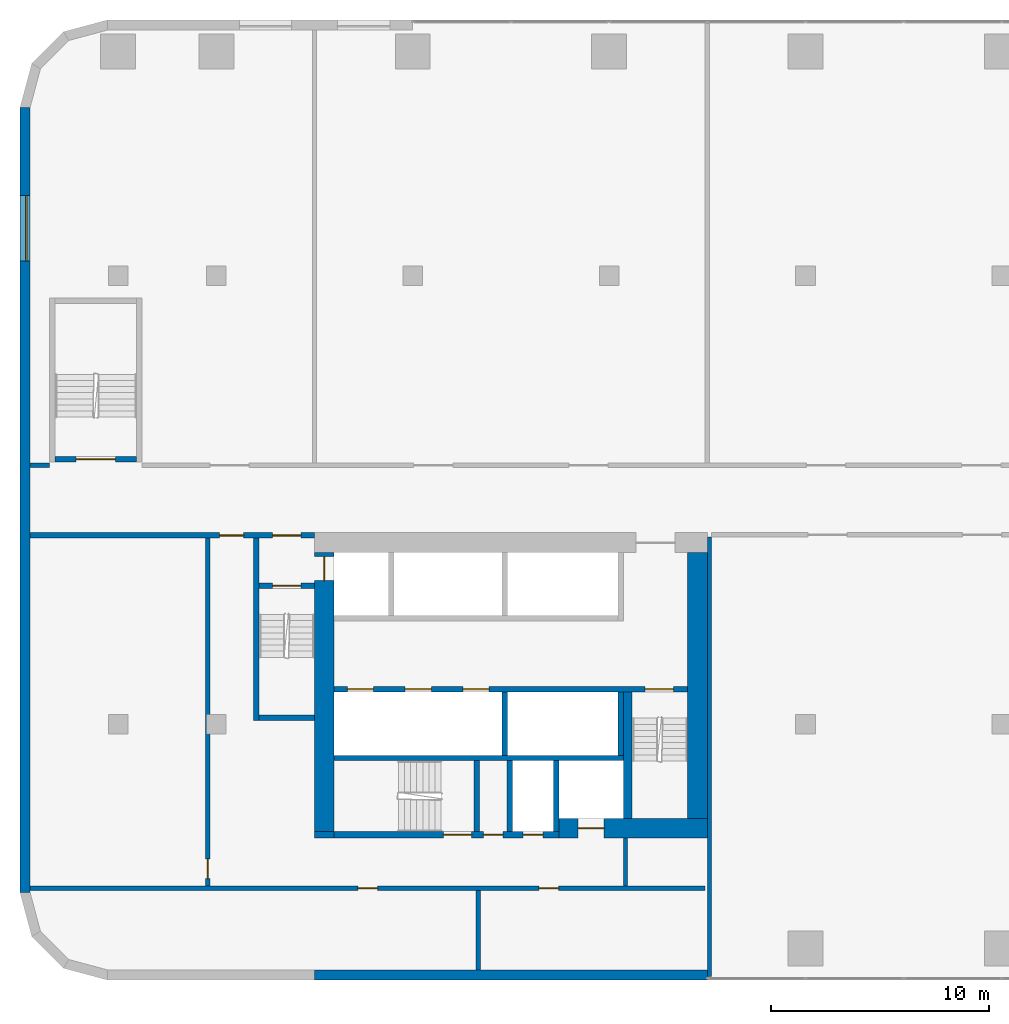
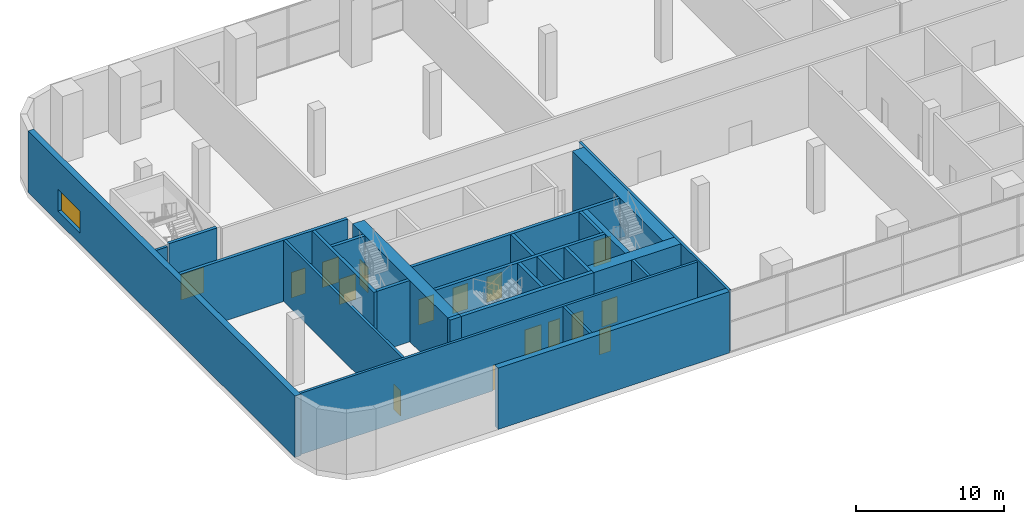
# One storey, part 9 of 21: 26 walls, 16 doors, 1 window, 17 openings.
"""IFC4 building model written with IfcOpenShell, lengths in metres."""

from ifc_helpers import new_model, si_unit, direction, frame, frame_2d, origin, place, context, subcontext, project, spatial, rectangle, extrude, material, layer, layer_set, type_object, element, fill, save


model = new_model("IFC4")

# Units and contexts
model_context = context("Model", 3, precision=1e-05, world=origin(), true_north=direction((0.0, 1.0)))
body_context = subcontext(model_context, "Body", "Model", "MODEL_VIEW")
ifc_project = project(units=[si_unit("LENGTHUNIT", "METRE"), si_unit("AREAUNIT", "SQUARE_METRE"), si_unit("VOLUMEUNIT", "CUBIC_METRE"), si_unit("PLANEANGLEUNIT", "RADIAN"), si_unit("MASSUNIT", "GRAM", prefix="KILO")], contexts=[model_context])

# Site, building, storey
site_placement = place(None, origin())
site = spatial("IfcSite", under=ifc_project, at=site_placement, CompositionType="ELEMENT")
building_placement = place(site_placement, origin())
building = spatial("IfcBuilding", under=site, at=building_placement, Name="Kajstack Hotel Tower", CompositionType="ELEMENT")
storey_placement = place(building_placement, frame((0.0, 0.0, 23.5)))
storey = spatial("IfcBuildingStorey", under=building, at=storey_placement, Name="L03", CompositionType="ELEMENT", Elevation=23.5)

# Wall, opening, door
ifc_material_1 = material(Name="Concrete C60/75", Category="concrete")
ifc_layer_1 = layer(ifc_material_1, 0.89990234375)
ifc_layer_set_1 = layer_set([ifc_layer_1], Name="Core wall 900")
wall_type_1 = type_object("IfcWallType", Name="Core wall 900", PredefinedType="SHEAR", material=ifc_layer_set_1)
wall_1_placement = place(storey_placement, frame((-20.300048828125, -15.050048828125, 0.0), z_axis=(0.0, 0.0, 1.0), x_axis=(1.0, 0.0, 0.0)))
wall_1 = element("IfcWall", 1, at=wall_1_placement, inside=storey, type_object=wall_type_1, Name="Core wall W RS", PredefinedType="SHEAR", context=body_context, shape_type="SweptSolid", body=[
    extrude(rectangle(XDim=6.800048828125, YDim=0.89990234375, at=frame_2d((3.39990234375, 0.0))), origin(), (0.0, 0.0, 1.0), 5.050048828125),
])
opening_1_placement = place(wall_1_placement, frame((0.875, 0.0, 0.0)))
opening_1 = element("IfcOpeningElement", 2, at=opening_1_placement, cuts=wall_1, Name="Opening LD-SV1", PredefinedType="OPENING", context=body_context, shape_type="SweptSolid", body=[
    extrude(rectangle(XDim=1.199951171875, YDim=2.10009765625, at=frame_2d((0.60009765625, 1.050048828125))), frame((0.0, 0.4599609375, 0.0), z_axis=(0.0, -1.0, 0.0), x_axis=(1.0, 0.0, 0.0)), (0.0, 0.0, 1.0), 0.919921875),
])
ifc_material_2 = material(Name="Stainless steel", Category="steel")
door_type_1 = type_object("IfcDoorType", Name="Lift landing door 1200", OperationType="SLIDING_TO_LEFT", PredefinedType="DOOR", material=ifc_material_2)
door_1_placement = place(opening_1_placement, origin())
door_1 = element("IfcDoor", 3, at=door_1_placement, inside=storey, type_object=door_type_1, Name="Landing door SV1", OperationType="SLIDING_TO_LEFT", OverallHeight=2.10009765625, OverallWidth=1.199951171875, PredefinedType="DOOR", context=body_context, shape_type="SweptSolid", body=[
    extrude(rectangle(XDim=1.199951171875, YDim=2.10009765625, at=frame_2d((0.60009765625, 1.050048828125))), frame((0.0, 0.02490234375, 0.0), z_axis=(0.0, -1.0, 0.0), x_axis=(1.0, 0.0, 0.0)), (0.0, 0.0, 1.0), 0.050048828125),
])
fill(opening_1, door_1)

# Wall
wall_2_placement = place(storey_placement, frame((-31.5, -15.35009765625, 0.0), z_axis=(0.0, 0.0, 1.0), x_axis=(1.0, 0.0, 0.0)))
element("IfcWall", 4, at=wall_2_placement, inside=storey, type_object=wall_type_1, Name="Core wall W RSW", PredefinedType="SHEAR", context=body_context, shape_type="SweptSolid", body=[
    extrude(rectangle(XDim=0.89990234375, YDim=0.300048828125, at=frame_2d((0.449951171875, 0.0))), origin(), (0.0, 0.0, 1.0), 5.050048828125),
])

# Wall, opening, door
wall_3_placement = place(storey_placement, frame((-31.050048828125, -15.199951171875, 0.0), z_axis=(0.0, 0.0, 1.0), x_axis=(0.0, 1.0, 0.0)))
wall_3 = element("IfcWall", 5, at=wall_3_placement, inside=storey, type_object=wall_type_1, Name="Core wall W RW", PredefinedType="SHEAR", context=body_context, shape_type="SweptSolid", body=[
    extrude(rectangle(XDim=12.800048828125, YDim=0.89990234375, at=frame_2d((6.39990234375, 0.0))), origin(), (0.0, 0.0, 1.0), 5.050048828125),
])
opening_2_placement = place(wall_3_placement, frame((11.5, 0.0, 0.0)))
opening_2 = element("IfcOpeningElement", 6, at=opening_2_placement, cuts=wall_3, Name="Opening LD-FF1", PredefinedType="OPENING", context=body_context, shape_type="SweptSolid", body=[
    extrude(rectangle(XDim=1.10009765625, YDim=2.10009765625, at=frame_2d((0.550048828125, 1.050048828125))), frame((0.0, 0.4599609375, 0.0), z_axis=(0.0, -1.0, 0.0), x_axis=(1.0, 0.0, 0.0)), (0.0, 0.0, 1.0), 0.919921875),
])
door_type_2 = type_object("IfcDoorType", Name="Fire-fighting lift landing door 1100", OperationType="SLIDING_TO_LEFT", PredefinedType="DOOR", material=ifc_material_2)
door_2_placement = place(opening_2_placement, origin())
door_2 = element("IfcDoor", 7, at=door_2_placement, inside=storey, type_object=door_type_2, Name="Landing door FF1", OperationType="SLIDING_TO_RIGHT", OverallHeight=2.10009765625, OverallWidth=1.10009765625, PredefinedType="DOOR", context=body_context, shape_type="SweptSolid", body=[
    extrude(rectangle(XDim=1.10009765625, YDim=2.10009765625, at=frame_2d((0.550048828125, 1.050048828125))), frame((0.0, 0.02490234375, 0.0), z_axis=(0.0, -1.0, 0.0), x_axis=(1.0, 0.0, 0.0)), (0.0, 0.0, 1.0), 0.050048828125),
])
fill(opening_2, door_2)

# Walls
wall_4_placement = place(storey_placement, frame((-13.949951171875, -14.60009765625, 0.0), z_axis=(0.0, 0.0, 1.0), x_axis=(0.0, 1.0, 0.0)))
element("IfcWall", 8, at=wall_4_placement, inside=storey, type_object=wall_type_1, Name="Core wall W RE", PredefinedType="SHEAR", context=body_context, shape_type="SweptSolid", body=[
    extrude(rectangle(XDim=12.2001953125, YDim=0.89990234375, at=frame_2d((6.10009765625, 0.0))), origin(), (0.0, 0.0, 1.0), 5.050048828125),
])
ifc_material_3 = material(Name="Concrete C40/50", Category="concrete")
ifc_layer_2 = layer(ifc_material_3, 0.449951171875)
ifc_layer_set_2 = layer_set([ifc_layer_2], Name="EW-CORE")
wall_type_2 = type_object("IfcWallType", Name="EW-CORE", PredefinedType="SOLIDWALL", material=ifc_layer_set_2)
wall_5_placement = place(storey_placement, frame((-31.5, -21.77490234375, 0.0), z_axis=(0.0, 0.0, 1.0), x_axis=(1.0, 0.0, 0.0)))
element("IfcWall", 9, at=wall_5_placement, inside=storey, type_object=wall_type_2, Name="E-wall-L03-03-01", PredefinedType="SOLIDWALL", context=body_context, shape_type="SweptSolid", body=[
    extrude(rectangle(XDim=18.0, YDim=0.449951171875, at=frame_2d((9.0, 0.0))), origin(), (0.0, 0.0, 1.0), 5.050048828125),
])

# Wall, opening, window
ifc_material_4 = material(Name="Terracotta-faced brick masonry", Category="masonry")
ifc_layer_3 = layer(ifc_material_4, 0.449951171875)
ifc_layer_set_3 = layer_set([ifc_layer_3], Name="EW-TERRA")
wall_type_3 = type_object("IfcWallType", Name="EW-TERRA", PredefinedType="SOLIDWALL", material=ifc_layer_set_3)
wall_6_placement = place(storey_placement, frame((-44.77490234375, 18.0, 0.0), z_axis=(0.0, 0.0, 1.0), x_axis=(0.0, -1.0, 0.0)))
wall_6 = element("IfcWall", 10, at=wall_6_placement, inside=storey, type_object=wall_type_3, Name="E-wall-L03-15-00", PredefinedType="SOLIDWALL", context=body_context, shape_type="SweptSolid", body=[
    extrude(rectangle(XDim=36.0, YDim=0.449951171875, at=frame_2d((18.0, 0.0))), origin(), (0.0, 0.0, 1.0), 5.050048828125),
])
opening_3_placement = place(wall_6_placement, frame((4.050048828125, 0.0, 0.89990234375)))
opening_3 = element("IfcOpeningElement", 11, at=opening_3_placement, cuts=wall_6, Name="Opening W5", PredefinedType="OPENING", context=body_context, shape_type="SweptSolid", body=[
    extrude(rectangle(XDim=3.0, YDim=1.800048828125, at=frame_2d((1.5, 0.89990234375))), frame((0.0, 0.23486328125, 0.0), z_axis=(0.0, -1.0, 0.0), x_axis=(1.0, 0.0, 0.0)), (0.0, 0.0, 1.0), 0.469970703125),
])
ifc_material_5 = material(Name="Timber-aluminium window, triple glazed", Category="wood")
window_type = type_object("IfcWindowType", Name="WP2", PartitioningType="SINGLE_PANEL", PredefinedType="WINDOW", material=ifc_material_5)
window_placement = place(opening_3_placement, origin())
window = element("IfcWindow", 12, at=window_placement, inside=storey, type_object=window_type, Name="Window W5 L03-15", OverallHeight=1.800048828125, OverallWidth=3.0, PartitioningType="SINGLE_PANEL", PredefinedType="WINDOW", context=body_context, shape_type="SweptSolid", body=[
    extrude(rectangle(XDim=3.0, YDim=1.800048828125, at=frame_2d((1.5, 0.89990234375))), frame((0.0, 0.090087890625, 0.0), z_axis=(0.0, -1.0, 0.0), x_axis=(1.0, 0.0, 0.0)), (0.0, 0.0, 1.0), 0.06005859375),
])
fill(opening_3, window)

# Walls
ifc_material_6 = material(Name="Concrete C50/60", Category="concrete")
ifc_layer_4 = layer(ifc_material_6, 0.300048828125)
ifc_layer_set_4 = layer_set([ifc_layer_4], Name="Hoistway divider wall 300")
wall_type_4 = type_object("IfcWallType", Name="Hoistway divider wall 300", PredefinedType="SHEAR", material=ifc_layer_set_4)
wall_7_placement = place(storey_placement, frame((-22.77490234375, -11.699951171875, 0.0), z_axis=(0.0, 0.0, 1.0), x_axis=(0.0, 1.0, 0.0)))
element("IfcWall", 13, at=wall_7_placement, inside=storey, type_object=wall_type_4, Name="Core wall W BP2", PredefinedType="SHEAR", context=body_context, shape_type="SweptSolid", body=[
    extrude(rectangle(XDim=2.89990234375, YDim=0.25, at=frame_2d((1.449951171875, 0.0))), origin(), (0.0, 0.0, 1.0), 5.050048828125),
])
ifc_material_7 = material(Name="Gypsum board on steel studs, mineral wool", Category="steel")
ifc_layer_5 = layer(ifc_material_7, 0.199951171875)
ifc_layer_set_5 = layer_set([ifc_layer_5], Name="Public partition 200")
wall_type_5 = type_object("IfcWallType", Name="Public partition 200", PredefinedType="PARTITIONING", material=ifc_layer_set_5)
wall_8_placement = place(storey_placement, frame((-44.550048828125, 1.60009765625, 0.0), z_axis=(0.0, 0.0, 1.0), x_axis=(1.0, 0.0, 0.0)))
element("IfcWall", 14, at=wall_8_placement, inside=storey, type_object=wall_type_5, Name="Partition FWW", PredefinedType="PARTITIONING", context=body_context, shape_type="SweptSolid", body=[
    extrude(rectangle(XDim=0.900146484375, YDim=0.199951171875, at=frame_2d((0.4501953125, 0.0))), origin(), (0.0, 0.0, 1.0), 5.050048828125),
])
wall_9_placement = place(storey_placement, frame((-13.39990234375, -21.85009765625, 0.0), z_axis=(0.0, 0.0, 1.0), x_axis=(0.0, 1.0, 0.0)))
element("IfcWall", 15, at=wall_9_placement, inside=storey, type_object=wall_type_5, Name="Partition SEW", PredefinedType="PARTITIONING", context=body_context, shape_type="SweptSolid", body=[
    extrude(rectangle(XDim=20.150146484375, YDim=0.199951171875, at=frame_2d((10.0751953125, 0.0))), origin(), (0.0, 0.0, 1.0), 5.050048828125),
])
ifc_material_8 = material(Name="Concrete block masonry", Category="masonry")
ifc_layer_6 = layer(ifc_material_8, 0.25)
ifc_layer_set_6 = layer_set([ifc_layer_6], Name="Riser partition 250")
wall_type_6 = type_object("IfcWallType", Name="Riser partition 250", PredefinedType="PARTITIONING", material=ifc_layer_set_6)
wall_10_placement = place(storey_placement, frame((-22.550048828125, -15.199951171875, 0.0), z_axis=(0.0, 0.0, 1.0), x_axis=(0.0, 1.0, 0.0)))
element("IfcWall", 16, at=wall_10_placement, inside=storey, type_object=wall_type_6, Name="Partition W SZ0", PredefinedType="PARTITIONING", context=body_context, shape_type="SweptSolid", body=[
    extrude(rectangle(XDim=3.25, YDim=0.25, at=frame_2d((1.625, 0.0))), origin(), (0.0, 0.0, 1.0), 5.050048828125),
])

# Wall, openings, doors
ifc_layer_7 = layer(ifc_material_7, 0.199951171875)
ifc_layer_set_7 = layer_set([ifc_layer_7], Name="Service partition 200")
wall_type_7 = type_object("IfcWallType", Name="Service partition 200", PredefinedType="PARTITIONING", material=ifc_layer_set_7)
wall_11_placement = place(storey_placement, frame((-44.550048828125, -1.625, 0.0), z_axis=(0.0, 0.0, 1.0), x_axis=(1.0, 0.0, 0.0)))
wall_11 = element("IfcWall", 17, at=wall_11_placement, inside=storey, type_object=wall_type_7, Name="Partition W SN", PredefinedType="PARTITIONING", context=body_context, shape_type="SweptSolid", body=[
    extrude(rectangle(XDim=13.050048828125, YDim=0.25, at=frame_2d((6.52490234375, 0.0))), origin(), (0.0, 0.0, 1.0), 5.050048828125),
])
opening_4_placement = place(wall_11_placement, frame((11.125, 0.0, 0.0)))
opening_4 = element("IfcOpeningElement", 18, at=opening_4_placement, cuts=wall_11, Name="Opening 03W07", PredefinedType="OPENING", context=body_context, shape_type="SweptSolid", body=[
    extrude(rectangle(XDim=1.300048828125, YDim=2.10009765625, at=frame_2d((0.64990234375, 1.050048828125))), frame((0.0, 0.135009765625, 0.0), z_axis=(0.0, -1.0, 0.0), x_axis=(1.0, 0.0, 0.0)), (0.0, 0.0, 1.0), 0.27001953125),
])
opening_5_placement = place(wall_11_placement, frame((8.699951171875, 0.0, 0.0)))
opening_5 = element("IfcOpeningElement", 19, at=opening_5_placement, cuts=wall_11, Name="Opening 03W09", PredefinedType="OPENING", context=body_context, shape_type="SweptSolid", body=[
    extrude(rectangle(XDim=1.10009765625, YDim=2.10009765625, at=frame_2d((0.550048828125, 1.050048828125))), frame((0.0, 0.135009765625, 0.0), z_axis=(0.0, -1.0, 0.0), x_axis=(1.0, 0.0, 0.0)), (0.0, 0.0, 1.0), 0.27001953125),
])
ifc_material_9 = material(Name="Steel leaf, fire-rated", Category="steel")
door_type_3 = type_object("IfcDoorType", Name="Fire lobby door 1300", OperationType="SINGLE_SWING_LEFT", PredefinedType="DOOR", material=ifc_material_9)
door_3_placement = place(opening_4_placement, origin())
door_3 = element("IfcDoor", 20, at=door_3_placement, inside=storey, type_object=door_type_3, Name="Door 03W07", OperationType="SINGLE_SWING_RIGHT", OverallHeight=2.10009765625, OverallWidth=1.300048828125, PredefinedType="DOOR", context=body_context, shape_type="SweptSolid", body=[
    extrude(rectangle(XDim=1.300048828125, YDim=2.10009765625, at=frame_2d((0.64990234375, 1.050048828125))), frame((0.0, 0.02490234375, 0.0), z_axis=(0.0, -1.0, 0.0), x_axis=(1.0, 0.0, 0.0)), (0.0, 0.0, 1.0), 0.050048828125),
])
fill(opening_4, door_3)
ifc_material_10 = material(Name="Timber leaf, fire-rated", Category="wood")
door_type_4 = type_object("IfcDoorType", Name="Service corridor door 1100", OperationType="SINGLE_SWING_LEFT", PredefinedType="DOOR", material=ifc_material_10)
door_4_placement = place(opening_5_placement, origin())
door_4 = element("IfcDoor", 21, at=door_4_placement, inside=storey, type_object=door_type_4, Name="Door 03W09", OperationType="SINGLE_SWING_RIGHT", OverallHeight=2.10009765625, OverallWidth=1.10009765625, PredefinedType="DOOR", context=body_context, shape_type="SweptSolid", body=[
    extrude(rectangle(XDim=1.10009765625, YDim=2.10009765625, at=frame_2d((0.550048828125, 1.050048828125))), frame((0.0, 0.02490234375, 0.0), z_axis=(0.0, -1.0, 0.0), x_axis=(1.0, 0.0, 0.0)), (0.0, 0.0, 1.0), 0.050048828125),
])
fill(opening_5, door_4)

# Wall
wall_12_placement = place(storey_placement, frame((-17.25, -17.699951171875, 0.0), z_axis=(0.0, 0.0, 1.0), x_axis=(0.0, 1.0, 0.0)))
element("IfcWall", 22, at=wall_12_placement, inside=storey, type_object=wall_type_7, Name="Partition W SCE", PredefinedType="PARTITIONING", context=body_context, shape_type="SweptSolid", body=[
    extrude(rectangle(XDim=2.199951171875, YDim=0.199951171875, at=frame_2d((1.10009765625, 0.0))), origin(), (0.0, 0.0, 1.0), 5.050048828125),
])

# Wall, opening, door
wall_13_placement = place(storey_placement, frame((-36.39990234375, -17.699951171875, 0.0), z_axis=(0.0, 0.0, 1.0), x_axis=(0.0, 1.0, 0.0)))
wall_13 = element("IfcWall", 23, at=wall_13_placement, inside=storey, type_object=wall_type_7, Name="Partition W WRE", PredefinedType="PARTITIONING", context=body_context, shape_type="SweptSolid", body=[
    extrude(rectangle(XDim=15.949951171875, YDim=0.199951171875, at=frame_2d((7.97509765625, 0.0))), origin(), (0.0, 0.0, 1.0), 5.050048828125),
])
opening_6_placement = place(wall_13_placement, frame((0.35009765625, 0.0, 0.0)))
opening_6 = element("IfcOpeningElement", 24, at=opening_6_placement, cuts=wall_13, Name="Opening 03W16", PredefinedType="OPENING", context=body_context, shape_type="SweptSolid", body=[
    extrude(rectangle(XDim=0.89990234375, YDim=2.10009765625, at=frame_2d((0.449951171875, 1.050048828125))), frame((0.0, 0.10986328125, 0.0), z_axis=(0.0, -1.0, 0.0), x_axis=(1.0, 0.0, 0.0)), (0.0, 0.0, 1.0), 0.219970703125),
])
door_type_5 = type_object("IfcDoorType", Name="Service door 900", OperationType="SINGLE_SWING_LEFT", PredefinedType="DOOR", material=ifc_material_10)
door_5_placement = place(opening_6_placement, origin())
door_5 = element("IfcDoor", 25, at=door_5_placement, inside=storey, type_object=door_type_5, Name="Door 03W16", OperationType="SINGLE_SWING_LEFT", OverallHeight=2.10009765625, OverallWidth=0.89990234375, PredefinedType="DOOR", context=body_context, shape_type="SweptSolid", body=[
    extrude(rectangle(XDim=0.89990234375, YDim=2.10009765625, at=frame_2d((0.449951171875, 1.050048828125))), frame((0.0, 0.02490234375, 0.0), z_axis=(0.0, -1.0, 0.0), x_axis=(1.0, 0.0, 0.0)), (0.0, 0.0, 1.0), 0.050048828125),
])
fill(opening_6, door_5)

# Wall, openings, doors
wall_14_placement = place(storey_placement, frame((-44.550048828125, -17.800048828125, 0.0), z_axis=(0.0, 0.0, 1.0), x_axis=(1.0, 0.0, 0.0)))
wall_14 = element("IfcWall", 26, at=wall_14_placement, inside=storey, type_object=wall_type_7, Name="Partition W SLN", PredefinedType="PARTITIONING", context=body_context, shape_type="SweptSolid", body=[
    extrude(rectangle(XDim=30.949951171875, YDim=0.199951171875, at=frame_2d((15.47509765625, 0.0))), origin(), (0.0, 0.0, 1.0), 5.050048828125),
])
opening_7_placement = place(wall_14_placement, frame((15.03759765625, 0.0, 0.0)))
opening_7 = element("IfcOpeningElement", 27, at=opening_7_placement, cuts=wall_14, Name="Opening 03W14", PredefinedType="OPENING", context=body_context, shape_type="SweptSolid", body=[
    extrude(rectangle(XDim=0.89990234375, YDim=2.10009765625, at=frame_2d((0.449951171875, 1.050048828125))), frame((0.0, 0.10986328125, 0.0), z_axis=(0.0, -1.0, 0.0), x_axis=(1.0, 0.0, 0.0)), (0.0, 0.0, 1.0), 0.219970703125),
])
opening_8_placement = place(wall_14_placement, frame((23.33740234375, 0.0, 0.0)))
opening_8 = element("IfcOpeningElement", 28, at=opening_8_placement, cuts=wall_14, Name="Opening 03W15", PredefinedType="OPENING", context=body_context, shape_type="SweptSolid", body=[
    extrude(rectangle(XDim=0.89990234375, YDim=2.10009765625, at=frame_2d((0.449951171875, 1.050048828125))), frame((0.0, 0.10986328125, 0.0), z_axis=(0.0, -1.0, 0.0), x_axis=(1.0, 0.0, 0.0)), (0.0, 0.0, 1.0), 0.219970703125),
])
door_6_placement = place(opening_7_placement, origin())
door_6 = element("IfcDoor", 29, at=door_6_placement, inside=storey, type_object=door_type_5, Name="Door 03W14", OperationType="SINGLE_SWING_RIGHT", OverallHeight=2.10009765625, OverallWidth=0.89990234375, PredefinedType="DOOR", context=body_context, shape_type="SweptSolid", body=[
    extrude(rectangle(XDim=0.89990234375, YDim=2.10009765625, at=frame_2d((0.449951171875, 1.050048828125))), frame((0.0, 0.02490234375, 0.0), z_axis=(0.0, -1.0, 0.0), x_axis=(1.0, 0.0, 0.0)), (0.0, 0.0, 1.0), 0.050048828125),
])
fill(opening_7, door_6)
door_7_placement = place(opening_8_placement, origin())
door_7 = element("IfcDoor", 30, at=door_7_placement, inside=storey, type_object=door_type_5, Name="Door 03W15", OperationType="SINGLE_SWING_RIGHT", OverallHeight=2.10009765625, OverallWidth=0.89990234375, PredefinedType="DOOR", context=body_context, shape_type="SweptSolid", body=[
    extrude(rectangle(XDim=0.89990234375, YDim=2.10009765625, at=frame_2d((0.449951171875, 1.050048828125))), frame((0.0, 0.02490234375, 0.0), z_axis=(0.0, -1.0, 0.0), x_axis=(1.0, 0.0, 0.0)), (0.0, 0.0, 1.0), 0.050048828125),
])
fill(opening_8, door_7)

# Wall
wall_15_placement = place(storey_placement, frame((-24.0, -21.550048828125, 0.0), z_axis=(0.0, 0.0, 1.0), x_axis=(0.0, 1.0, 0.0)))
element("IfcWall", 31, at=wall_15_placement, inside=storey, type_object=wall_type_7, Name="Partition W SLP0", PredefinedType="PARTITIONING", context=body_context, shape_type="SweptSolid", body=[
    extrude(rectangle(XDim=3.650146484375, YDim=0.199951171875, at=frame_2d((1.8251953125, 0.0))), origin(), (0.0, 0.0, 1.0), 5.050048828125),
])

# Wall, openings, doors
ifc_layer_8 = layer(ifc_material_6, 0.25)
ifc_layer_set_8 = layer_set([ifc_layer_8], Name="Shaft wall 250")
wall_type_8 = type_object("IfcWallType", Name="Shaft wall 250", PredefinedType="SHEAR", material=ifc_layer_set_8)
wall_16_placement = place(storey_placement, frame((-30.60009765625, -15.35009765625, 0.0), z_axis=(0.0, 0.0, 1.0), x_axis=(1.0, 0.0, 0.0)))
wall_16 = element("IfcWall", 32, at=wall_16_placement, inside=storey, type_object=wall_type_8, Name="Core wall W RSS", PredefinedType="SHEAR", context=body_context, shape_type="SweptSolid", body=[
    extrude(rectangle(XDim=10.300048828125, YDim=0.300048828125, at=frame_2d((5.14990234375, 0.0))), origin(), (0.0, 0.0, 1.0), 5.050048828125),
])
opening_9_placement = place(wall_16_placement, frame((5.0, 0.0, 0.0)))
opening_9 = element("IfcOpeningElement", 33, at=opening_9_placement, cuts=wall_16, Name="Opening 03W11", PredefinedType="OPENING", context=body_context, shape_type="SweptSolid", body=[
    extrude(rectangle(XDim=1.300048828125, YDim=2.10009765625, at=frame_2d((0.64990234375, 1.050048828125))), frame((0.0, 0.159912109375, 0.0), z_axis=(0.0, -1.0, 0.0), x_axis=(1.0, 0.0, 0.0)), (0.0, 0.0, 1.0), 0.320068359375),
])
opening_10_placement = place(wall_16_placement, frame((6.83740234375, 0.0, 0.0)))
opening_10 = element("IfcOpeningElement", 34, at=opening_10_placement, cuts=wall_16, Name="Opening 03W12", PredefinedType="OPENING", context=body_context, shape_type="SweptSolid", body=[
    extrude(rectangle(XDim=0.89990234375, YDim=2.10009765625, at=frame_2d((0.449951171875, 1.050048828125))), frame((0.0, 0.159912109375, 0.0), z_axis=(0.0, -1.0, 0.0), x_axis=(1.0, 0.0, 0.0)), (0.0, 0.0, 1.0), 0.320068359375),
])
opening_11_placement = place(wall_16_placement, frame((8.66259765625, 0.0, 0.0)))
opening_11 = element("IfcOpeningElement", 35, at=opening_11_placement, cuts=wall_16, Name="Opening 03W13", PredefinedType="OPENING", context=body_context, shape_type="SweptSolid", body=[
    extrude(rectangle(XDim=0.89990234375, YDim=2.10009765625, at=frame_2d((0.449951171875, 1.050048828125))), frame((0.0, 0.159912109375, 0.0), z_axis=(0.0, -1.0, 0.0), x_axis=(1.0, 0.0, 0.0)), (0.0, 0.0, 1.0), 0.320068359375),
])
door_type_6 = type_object("IfcDoorType", Name="Riser door 900", OperationType="SINGLE_SWING_LEFT", PredefinedType="DOOR", material=ifc_material_9)
door_8_placement = place(opening_11_placement, origin())
door_8 = element("IfcDoor", 36, at=door_8_placement, inside=storey, type_object=door_type_6, Name="Door 03W13", OperationType="SINGLE_SWING_LEFT", OverallHeight=2.10009765625, OverallWidth=0.89990234375, PredefinedType="DOOR", context=body_context, shape_type="SweptSolid", body=[
    extrude(rectangle(XDim=0.89990234375, YDim=2.10009765625, at=frame_2d((0.449951171875, 1.050048828125))), frame((0.0, 0.02490234375, 0.0), z_axis=(0.0, -1.0, 0.0), x_axis=(1.0, 0.0, 0.0)), (0.0, 0.0, 1.0), 0.050048828125),
])
fill(opening_11, door_8)
door_9_placement = place(opening_10_placement, origin())
door_9 = element("IfcDoor", 37, at=door_9_placement, inside=storey, type_object=door_type_5, Name="Door 03W12", OperationType="SINGLE_SWING_LEFT", OverallHeight=2.10009765625, OverallWidth=0.89990234375, PredefinedType="DOOR", context=body_context, shape_type="SweptSolid", body=[
    extrude(rectangle(XDim=0.89990234375, YDim=2.10009765625, at=frame_2d((0.449951171875, 1.050048828125))), frame((0.0, 0.02490234375, 0.0), z_axis=(0.0, -1.0, 0.0), x_axis=(1.0, 0.0, 0.0)), (0.0, 0.0, 1.0), 0.050048828125),
])
fill(opening_10, door_9)
door_type_7 = type_object("IfcDoorType", Name="Stair door 1300", OperationType="SINGLE_SWING_LEFT", PredefinedType="DOOR", material=ifc_material_9)
door_10_placement = place(opening_9_placement, origin())
door_10 = element("IfcDoor", 38, at=door_10_placement, inside=storey, type_object=door_type_7, Name="Door 03W11", OperationType="SINGLE_SWING_RIGHT", OverallHeight=2.10009765625, OverallWidth=1.300048828125, PredefinedType="DOOR", context=body_context, shape_type="SweptSolid", body=[
    extrude(rectangle(XDim=1.300048828125, YDim=2.10009765625, at=frame_2d((0.64990234375, 1.050048828125))), frame((0.0, 0.02490234375, 0.0), z_axis=(0.0, -1.0, 0.0), x_axis=(1.0, 0.0, 0.0)), (0.0, 0.0, 1.0), 0.050048828125),
])
fill(opening_9, door_10)

wall_17_placement = place(storey_placement, frame((-30.60009765625, -8.675048828125, 0.0), z_axis=(0.0, 0.0, 1.0), x_axis=(1.0, 0.0, 0.0)))
wall_17 = element("IfcWall", 39, at=wall_17_placement, inside=storey, type_object=wall_type_8, Name="Core wall W FB", PredefinedType="SHEAR", context=body_context, shape_type="SweptSolid", body=[
    extrude(rectangle(XDim=16.2001953125, YDim=0.25, at=frame_2d((8.10009765625, 0.0))), origin(), (0.0, 0.0, 1.0), 5.050048828125),
])
opening_12_placement = place(wall_17_placement, frame((0.60009765625, 0.0, 0.0)))
opening_12 = element("IfcOpeningElement", 40, at=opening_12_placement, cuts=wall_17, Name="Opening LD-LR1", PredefinedType="OPENING", context=body_context, shape_type="SweptSolid", body=[
    extrude(rectangle(XDim=1.199951171875, YDim=2.10009765625, at=frame_2d((0.60009765625, 1.050048828125))), frame((0.0, 0.135009765625, 0.0), z_axis=(0.0, -1.0, 0.0), x_axis=(1.0, 0.0, 0.0)), (0.0, 0.0, 1.0), 0.27001953125),
])
opening_13_placement = place(wall_17_placement, frame((3.25, 0.0, 0.0)))
opening_13 = element("IfcOpeningElement", 41, at=opening_13_placement, cuts=wall_17, Name="Opening LD-LR2", PredefinedType="OPENING", context=body_context, shape_type="SweptSolid", body=[
    extrude(rectangle(XDim=1.199951171875, YDim=2.10009765625, at=frame_2d((0.60009765625, 1.050048828125))), frame((0.0, 0.135009765625, 0.0), z_axis=(0.0, -1.0, 0.0), x_axis=(1.0, 0.0, 0.0)), (0.0, 0.0, 1.0), 0.27001953125),
])
opening_14_placement = place(wall_17_placement, frame((5.89990234375, 0.0, 0.0)))
opening_14 = element("IfcOpeningElement", 42, at=opening_14_placement, cuts=wall_17, Name="Opening LD-LR3", PredefinedType="OPENING", context=body_context, shape_type="SweptSolid", body=[
    extrude(rectangle(XDim=1.199951171875, YDim=2.10009765625, at=frame_2d((0.60009765625, 1.050048828125))), frame((0.0, 0.135009765625, 0.0), z_axis=(0.0, -1.0, 0.0), x_axis=(1.0, 0.0, 0.0)), (0.0, 0.0, 1.0), 0.27001953125),
])
opening_15_placement = place(wall_17_placement, frame((14.25, 0.0, 0.0)))
opening_15 = element("IfcOpeningElement", 43, at=opening_15_placement, cuts=wall_17, Name="Opening 03W10", PredefinedType="OPENING", context=body_context, shape_type="SweptSolid", body=[
    extrude(rectangle(XDim=1.300048828125, YDim=2.10009765625, at=frame_2d((0.64990234375, 1.050048828125))), frame((0.0, 0.135009765625, 0.0), z_axis=(0.0, -1.0, 0.0), x_axis=(1.0, 0.0, 0.0)), (0.0, 0.0, 1.0), 0.27001953125),
])
door_11_placement = place(opening_12_placement, origin())
door_11 = element("IfcDoor", 44, at=door_11_placement, inside=storey, type_object=door_type_1, Name="Landing door LR1", OperationType="SLIDING_TO_LEFT", OverallHeight=2.10009765625, OverallWidth=1.199951171875, PredefinedType="DOOR", context=body_context, shape_type="SweptSolid", body=[
    extrude(rectangle(XDim=1.199951171875, YDim=2.10009765625, at=frame_2d((0.60009765625, 1.050048828125))), frame((0.0, 0.02490234375, 0.0), z_axis=(0.0, -1.0, 0.0), x_axis=(1.0, 0.0, 0.0)), (0.0, 0.0, 1.0), 0.050048828125),
])
fill(opening_12, door_11)
door_12_placement = place(opening_13_placement, origin())
door_12 = element("IfcDoor", 45, at=door_12_placement, inside=storey, type_object=door_type_1, Name="Landing door LR2", OperationType="SLIDING_TO_RIGHT", OverallHeight=2.10009765625, OverallWidth=1.199951171875, PredefinedType="DOOR", context=body_context, shape_type="SweptSolid", body=[
    extrude(rectangle(XDim=1.199951171875, YDim=2.10009765625, at=frame_2d((0.60009765625, 1.050048828125))), frame((0.0, 0.02490234375, 0.0), z_axis=(0.0, -1.0, 0.0), x_axis=(1.0, 0.0, 0.0)), (0.0, 0.0, 1.0), 0.050048828125),
])
fill(opening_13, door_12)
door_13_placement = place(opening_14_placement, origin())
door_13 = element("IfcDoor", 46, at=door_13_placement, inside=storey, type_object=door_type_1, Name="Landing door LR3", OperationType="SLIDING_TO_RIGHT", OverallHeight=2.10009765625, OverallWidth=1.199951171875, PredefinedType="DOOR", context=body_context, shape_type="SweptSolid", body=[
    extrude(rectangle(XDim=1.199951171875, YDim=2.10009765625, at=frame_2d((0.60009765625, 1.050048828125))), frame((0.0, 0.02490234375, 0.0), z_axis=(0.0, -1.0, 0.0), x_axis=(1.0, 0.0, 0.0)), (0.0, 0.0, 1.0), 0.050048828125),
])
fill(opening_14, door_13)
door_14_placement = place(opening_15_placement, origin())
door_14 = element("IfcDoor", 47, at=door_14_placement, inside=storey, type_object=door_type_7, Name="Door 03W10", OperationType="SINGLE_SWING_RIGHT", OverallHeight=2.10009765625, OverallWidth=1.300048828125, PredefinedType="DOOR", context=body_context, shape_type="SweptSolid", body=[
    extrude(rectangle(XDim=1.300048828125, YDim=2.10009765625, at=frame_2d((0.64990234375, 1.050048828125))), frame((0.0, 0.02490234375, 0.0), z_axis=(0.0, -1.0, 0.0), x_axis=(1.0, 0.0, 0.0)), (0.0, 0.0, 1.0), 0.050048828125),
])
fill(opening_15, door_14)

# Walls
wall_18_placement = place(storey_placement, frame((-30.60009765625, -11.824951171875, 0.0), z_axis=(0.0, 0.0, 1.0), x_axis=(1.0, 0.0, 0.0)))
element("IfcWall", 48, at=wall_18_placement, inside=storey, type_object=wall_type_8, Name="Core wall W RB", PredefinedType="SHEAR", context=body_context, shape_type="SweptSolid", body=[
    extrude(rectangle(XDim=13.25, YDim=0.25, at=frame_2d((6.625, 0.0))), origin(), (0.0, 0.0, 1.0), 5.050048828125),
])
wall_19_placement = place(storey_placement, frame((-17.47509765625, -11.699951171875, 0.0), z_axis=(0.0, 0.0, 1.0), x_axis=(0.0, 1.0, 0.0)))
element("IfcWall", 49, at=wall_19_placement, inside=storey, type_object=wall_type_8, Name="Core wall W BE", PredefinedType="SHEAR", context=body_context, shape_type="SweptSolid", body=[
    extrude(rectangle(XDim=2.89990234375, YDim=0.25, at=frame_2d((1.449951171875, 0.0))), origin(), (0.0, 0.0, 1.0), 5.050048828125),
])
wall_20_placement = place(storey_placement, frame((-20.425048828125, -15.199951171875, 0.0), z_axis=(0.0, 0.0, 1.0), x_axis=(0.0, 1.0, 0.0)))
element("IfcWall", 50, at=wall_20_placement, inside=storey, type_object=wall_type_8, Name="Core wall W SVW", PredefinedType="SHEAR", context=body_context, shape_type="SweptSolid", body=[
    extrude(rectangle(XDim=3.25, YDim=0.25, at=frame_2d((1.625, 0.0))), origin(), (0.0, 0.0, 1.0), 5.050048828125),
])

# Wall, opening, door
ifc_layer_9 = layer(ifc_material_3, 0.25)
ifc_layer_set_9 = layer_set([ifc_layer_9], Name="Stair enclosure wall 250")
wall_type_9 = type_object("IfcWallType", Name="Stair enclosure wall 250", PredefinedType="SHEAR", material=ifc_layer_set_9)
wall_21_placement = place(storey_placement, frame((-34.050048828125, -3.925048828125, 0.0), z_axis=(0.0, 0.0, 1.0), x_axis=(1.0, 0.0, 0.0)))
wall_21 = element("IfcWall", 51, at=wall_21_placement, inside=storey, type_object=wall_type_9, Name="Core wall W W1N", PredefinedType="SHEAR", context=body_context, shape_type="SweptSolid", body=[
    extrude(rectangle(XDim=2.550048828125, YDim=0.25, at=frame_2d((1.27490234375, 0.0))), origin(), (0.0, 0.0, 1.0), 5.050048828125),
])
opening_16_placement = place(wall_21_placement, frame((0.625, 0.0, 0.0)))
opening_16 = element("IfcOpeningElement", 52, at=opening_16_placement, cuts=wall_21, Name="Opening 03W08", PredefinedType="OPENING", context=body_context, shape_type="SweptSolid", body=[
    extrude(rectangle(XDim=1.300048828125, YDim=2.10009765625, at=frame_2d((0.64990234375, 1.050048828125))), frame((0.0, 0.135009765625, 0.0), z_axis=(0.0, -1.0, 0.0), x_axis=(1.0, 0.0, 0.0)), (0.0, 0.0, 1.0), 0.27001953125),
])
door_15_placement = place(opening_16_placement, origin())
door_15 = element("IfcDoor", 53, at=door_15_placement, inside=storey, type_object=door_type_7, Name="Door 03W08", OperationType="SINGLE_SWING_RIGHT", OverallHeight=2.10009765625, OverallWidth=1.300048828125, PredefinedType="DOOR", context=body_context, shape_type="SweptSolid", body=[
    extrude(rectangle(XDim=1.300048828125, YDim=2.10009765625, at=frame_2d((0.64990234375, 1.050048828125))), frame((0.0, 0.02490234375, 0.0), z_axis=(0.0, -1.0, 0.0), x_axis=(1.0, 0.0, 0.0)), (0.0, 0.0, 1.0), 0.050048828125),
])
fill(opening_16, door_15)

# Walls
wall_22_placement = place(storey_placement, frame((-34.175048828125, -10.10009765625, 0.0), z_axis=(0.0, 0.0, 1.0), x_axis=(0.0, 1.0, 0.0)))
element("IfcWall", 54, at=wall_22_placement, inside=storey, type_object=wall_type_9, Name="Core wall W W1W", PredefinedType="SHEAR", context=body_context, shape_type="SweptSolid", body=[
    extrude(rectangle(XDim=8.35009765625, YDim=0.25, at=frame_2d((4.175048828125, 0.0))), origin(), (0.0, 0.0, 1.0), 5.050048828125),
])
wall_23_placement = place(storey_placement, frame((-34.050048828125, -9.97509765625, 0.0), z_axis=(0.0, 0.0, 1.0), x_axis=(1.0, 0.0, 0.0)))
element("IfcWall", 55, at=wall_23_placement, inside=storey, type_object=wall_type_9, Name="Core wall W W1S", PredefinedType="SHEAR", context=body_context, shape_type="SweptSolid", body=[
    extrude(rectangle(XDim=2.550048828125, YDim=0.25, at=frame_2d((1.27490234375, 0.0))), origin(), (0.0, 0.0, 1.0), 5.050048828125),
])

# Wall, opening, door
wall_24_placement = place(storey_placement, frame((-43.39990234375, 1.875, 0.0), z_axis=(0.0, 0.0, 1.0), x_axis=(1.0, 0.0, 0.0)))
wall_24 = element("IfcWall", 56, at=wall_24_placement, inside=storey, type_object=wall_type_9, Name="Stair wall P1 N", PredefinedType="SHEAR", context=body_context, shape_type="SweptSolid", body=[
    extrude(rectangle(XDim=3.75, YDim=0.25, at=frame_2d((1.875, 0.0))), origin(), (0.0, 0.0, 1.0), 5.050048828125),
])
opening_17_placement = place(wall_24_placement, frame((0.97509765625, 0.0, 0.0)))
opening_17 = element("IfcOpeningElement", 57, at=opening_17_placement, cuts=wall_24, Name="Opening 03P1", PredefinedType="OPENING", context=body_context, shape_type="SweptSolid", body=[
    extrude(rectangle(XDim=1.800048828125, YDim=2.10009765625, at=frame_2d((0.89990234375, 1.050048828125))), frame((0.0, 0.135009765625, 0.0), z_axis=(0.0, -1.0, 0.0), x_axis=(1.0, 0.0, 0.0)), (0.0, 0.0, 1.0), 0.27001953125),
])
door_type_8 = type_object("IfcDoorType", Name="Stair door 1800", OperationType="DOUBLE_DOOR_DOUBLE_SWING", PredefinedType="DOOR", material=ifc_material_9)
door_16_placement = place(opening_17_placement, origin())
door_16 = element("IfcDoor", 58, at=door_16_placement, inside=storey, type_object=door_type_8, Name="Door 03P1", OperationType="DOUBLE_DOOR_DOUBLE_SWING", OverallHeight=2.10009765625, OverallWidth=1.800048828125, PredefinedType="DOOR", context=body_context, shape_type="SweptSolid", body=[
    extrude(rectangle(XDim=1.800048828125, YDim=2.10009765625, at=frame_2d((0.89990234375, 1.050048828125))), frame((0.0, 0.02490234375, 0.0), z_axis=(0.0, -1.0, 0.0), x_axis=(1.0, 0.0, 0.0)), (0.0, 0.0, 1.0), 0.050048828125),
])
fill(opening_17, door_16)

# Walls
ifc_layer_10 = layer(ifc_material_6, 0.35009765625)
ifc_layer_set_10 = layer_set([ifc_layer_10], Name="Stair enclosure wall 350")
wall_type_10 = type_object("IfcWallType", Name="Stair enclosure wall 350", PredefinedType="SHEAR", material=ifc_layer_set_10)
wall_25_placement = place(storey_placement, frame((-24.074951171875, -15.199951171875, 0.0), z_axis=(0.0, 0.0, 1.0), x_axis=(0.0, 1.0, 0.0)))
element("IfcWall", 59, at=wall_25_placement, inside=storey, type_object=wall_type_10, Name="Core wall W W3E", PredefinedType="SHEAR", context=body_context, shape_type="SweptSolid", body=[
    extrude(rectangle(XDim=3.25, YDim=0.25, at=frame_2d((1.625, 0.0))), origin(), (0.0, 0.0, 1.0), 5.050048828125),
])
ifc_layer_11 = layer(ifc_material_6, 0.39990234375)
ifc_layer_set_11 = layer_set([ifc_layer_11], Name="Stair wall 400")
wall_type_11 = type_object("IfcWallType", Name="Stair wall 400", PredefinedType="SHEAR", material=ifc_layer_set_11)
wall_26_placement = place(storey_placement, frame((-17.14990234375, -14.60009765625, 0.0), z_axis=(0.0, 0.0, 1.0), x_axis=(0.0, 1.0, 0.0)))
element("IfcWall", 60, at=wall_26_placement, inside=storey, type_object=wall_type_11, Name="Core wall W WW2", PredefinedType="SHEAR", context=body_context, shape_type="SweptSolid", body=[
    extrude(rectangle(XDim=5.800048828125, YDim=0.39990234375, at=frame_2d((2.89990234375, 0.0))), origin(), (0.0, 0.0, 1.0), 5.050048828125),
])

save(model, "model.ifc")
